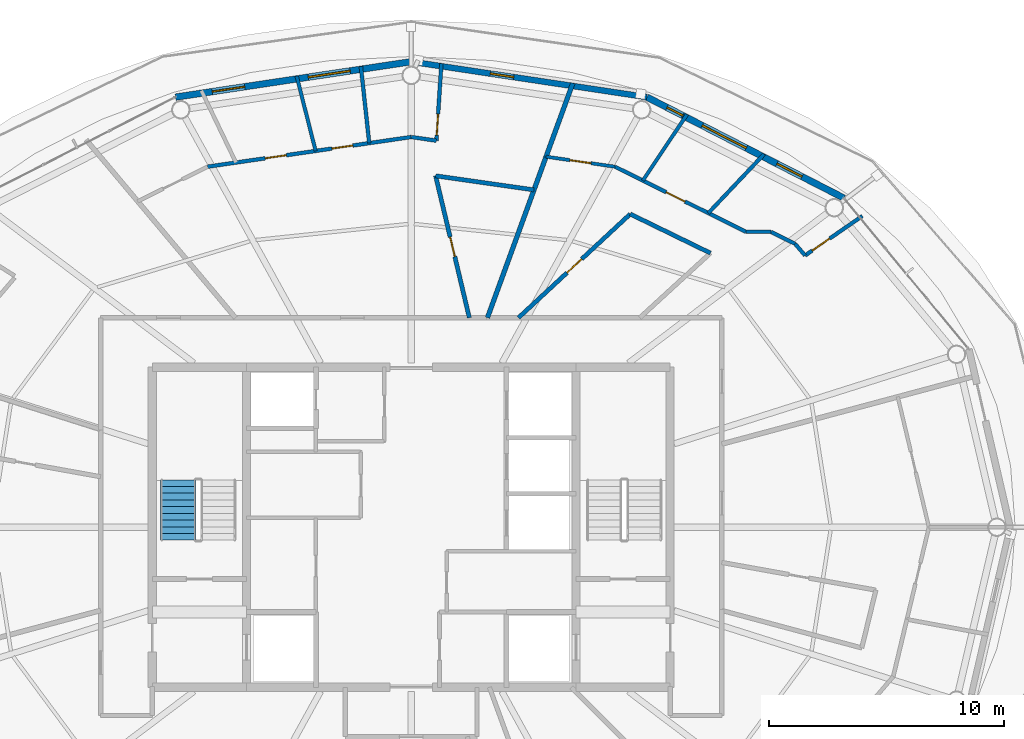
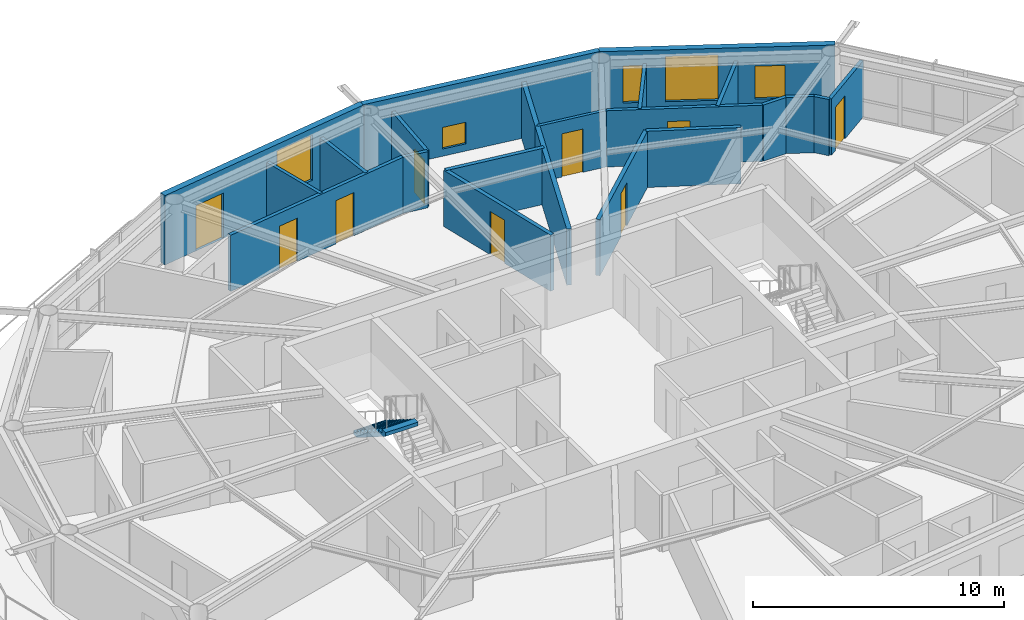
# One storey, part 19 of 23: 22 walls, 9 doors, 5 windows, 1 stair flight, 14 openings, 1 element without a shape of its own.
"""IFC4 building model written with IfcOpenShell, lengths in metres."""

from ifc_helpers import new_model, si_unit, direction, frame, frame_2d, origin, place, context, subcontext, project, spatial, polyline, rectangle, outline, extrude, material, layer, layer_set, type_object, element, fill, aggregate, save


model = new_model("IFC4")

# Units and contexts
model_context = context("Model", 3, precision=1e-05, world=origin(), true_north=direction((0.0, 1.0)))
body_context = subcontext(model_context, "Body", "Model", "MODEL_VIEW")
ifc_project = project(units=[si_unit("LENGTHUNIT", "METRE"), si_unit("AREAUNIT", "SQUARE_METRE"), si_unit("VOLUMEUNIT", "CUBIC_METRE"), si_unit("PLANEANGLEUNIT", "RADIAN"), si_unit("MASSUNIT", "GRAM", prefix="KILO")], contexts=[model_context])

# Site, building, storey
site_placement = place(None, origin())
site = spatial("IfcSite", under=ifc_project, at=site_placement, CompositionType="ELEMENT")
building_placement = place(site_placement, origin())
building = spatial("IfcBuilding", under=site, at=building_placement, Name="Sarneth Arch Tower", CompositionType="ELEMENT")
storey_placement = place(building_placement, frame((0.0, 0.0, 265.800048828125)))
storey = spatial("IfcBuildingStorey", under=building, at=storey_placement, Name="L68", CompositionType="ELEMENT", Elevation=265.800048828125)

# Wall, opening, window
ifc_material_1 = material(Name="Extruded terracotta rainscreen on Concrete C40/50 backing", Category="masonry")
ifc_layer_1 = layer(ifc_material_1, 0.25)
ifc_layer_set_1 = layer_set([ifc_layer_1], Name="Extruded terracotta rainscreen on Concrete C40/50 backing")
wall_type_1 = type_object("IfcWallType", Name="WALL-EXT-SPAND-250", PredefinedType="SOLIDWALL", material=ifc_layer_set_1)
wall_1_placement = place(storey_placement, frame((58.0126953125, 60.2744140625, 0.0), z_axis=(0.0, 0.0, 1.0), x_axis=(-0.988882522213, 0.148698881169, 0.0)))
wall_1 = element("IfcWall", 1, at=wall_1_placement, inside=storey, type_object=wall_type_1, Name="L68 Terracotta perimeter wall 04", PredefinedType="SOLIDWALL", context=body_context, shape_type="SweptSolid", body=[
    extrude(rectangle(XDim=10.125244140625, YDim=0.25, at=frame_2d((5.0625, 0.0))), origin(), (0.0, 0.0, 1.0), 3.369873046875),
])
opening_1_placement = place(wall_1_placement, frame((5.720947265625, 0.0, 0.35009765625)))
opening_1 = element("IfcOpeningElement", 2, at=opening_1_placement, cuts=wall_1, Name="Opening W-14", PredefinedType="OPENING", context=body_context, shape_type="SweptSolid", body=[
    extrude(rectangle(XDim=1.0, YDim=1.050048828125, at=frame_2d((0.5, 0.52490234375))), frame((0.0, 0.135009765625, 0.0), z_axis=(0.0, -1.0, 0.0), x_axis=(1.0, 0.0, 0.0)), (0.0, 0.0, 1.0), 0.27001953125),
])
ifc_material_2 = material(Name="Thermally broken Aluminium 6063-T6 and low-e laminated IGU", Category="aluminium")
window_type_1 = type_object("IfcWindowType", Name="WIN-TWR-1000x1050", PartitioningType="SINGLE_PANEL", PredefinedType="WINDOW", material=ifc_material_2)
window_1_placement = place(opening_1_placement, origin())
window_1 = element("IfcWindow", 3, at=window_1_placement, inside=storey, type_object=window_type_1, Name="L68 Dwelling bedroom window 02", OverallHeight=1.050048828125, OverallWidth=1.0, PartitioningType="SINGLE_PANEL", PredefinedType="WINDOW", context=body_context, shape_type="SweptSolid", body=[
    extrude(rectangle(XDim=1.0, YDim=1.050048828125, at=frame_2d((0.5, 0.52490234375))), frame((0.0, 0.030029296875, 0.0), z_axis=(0.0, -1.0, 0.0), x_axis=(1.0, 0.0, 0.0)), (0.0, 0.0, 1.0), 0.06005859375),
])
fill(opening_1, window_1)

# Wall, openings, windows
ifc_material_3 = material(Name="Extruded terracotta rainscreen on Concrete C40/50 backing", Category="masonry")
ifc_layer_2 = layer(ifc_material_3, 0.280029296875)
ifc_layer_set_2 = layer_set([ifc_layer_2], Name="Extruded terracotta rainscreen on Concrete C40/50 backing")
wall_type_2 = type_object("IfcWallType", Name="WALL-EXT-TERRA-280", PredefinedType="SOLIDWALL", material=ifc_layer_set_2)
wall_2_placement = place(storey_placement, frame((66.382568359375, 55.986572265625, 0.0), z_axis=(0.0, 0.0, 1.0), x_axis=(-0.890007394051, 0.455946091699, 0.0)))
wall_2 = element("IfcWall", 4, at=wall_2_placement, inside=storey, type_object=wall_type_2, Name="L68 Terracotta perimeter wall 03", PredefinedType="SOLIDWALL", context=body_context, shape_type="SweptSolid", body=[
    extrude(rectangle(XDim=9.404296875, YDim=0.280029296875, at=frame_2d((4.7021484375, 0.0))), origin(), (0.0, 0.0, 1.0), 3.369873046875),
])
opening_2_placement = place(wall_2_placement, frame((1.996337890625, 0.0, 0.85009765625)))
opening_2 = element("IfcOpeningElement", 5, at=opening_2_placement, cuts=wall_2, Name="Opening W-10", PredefinedType="OPENING", context=body_context, shape_type="SweptSolid", body=[
    extrude(rectangle(XDim=1.199951171875, YDim=1.60009765625, at=frame_2d((0.60009765625, 0.800048828125))), frame((0.0, 0.14990234375, 0.0), z_axis=(0.0, -1.0, 0.0), x_axis=(1.0, 0.0, 0.0)), (0.0, 0.0, 1.0), 0.300048828125),
])
opening_3_placement = place(wall_2_placement, frame((4.658935546875, 0.0, 0.85009765625)))
opening_3 = element("IfcOpeningElement", 6, at=opening_3_placement, cuts=wall_2, Name="Opening W-03", PredefinedType="OPENING", context=body_context, shape_type="SweptSolid", body=[
    extrude(rectangle(XDim=2.10009765625, YDim=2.199951171875, at=frame_2d((1.050048828125, 1.10009765625))), frame((0.0, 0.14990234375, 0.0), z_axis=(0.0, -1.0, 0.0), x_axis=(1.0, 0.0, 0.0)), (0.0, 0.0, 1.0), 0.300048828125),
])
opening_4_placement = place(wall_2_placement, frame((7.690673828125, 0.0, 0.85009765625)))
opening_4 = element("IfcOpeningElement", 7, at=opening_4_placement, cuts=wall_2, Name="Opening W-13", PredefinedType="OPENING", context=body_context, shape_type="SweptSolid", body=[
    extrude(rectangle(XDim=0.75, YDim=1.800048828125, at=frame_2d((0.375, 0.89990234375))), frame((0.0, 0.14990234375, 0.0), z_axis=(0.0, -1.0, 0.0), x_axis=(1.0, 0.0, 0.0)), (0.0, 0.0, 1.0), 0.300048828125),
])
ifc_material_4 = material(Name="Thermally broken Aluminium 6063-T6 and low-e laminated IGU", Category="aluminium")
window_type_2 = type_object("IfcWindowType", Name="WIN-TWR-1200x1600", PartitioningType="SINGLE_PANEL", PredefinedType="WINDOW", material=ifc_material_4)
window_2_placement = place(opening_2_placement, origin())
window_2 = element("IfcWindow", 8, at=window_2_placement, inside=storey, type_object=window_type_2, Name="L68 Exterior window 03A", OverallHeight=1.60009765625, OverallWidth=1.199951171875, PartitioningType="SINGLE_PANEL", PredefinedType="WINDOW", context=body_context, shape_type="SweptSolid", body=[
    extrude(rectangle(XDim=1.199951171875, YDim=1.60009765625, at=frame_2d((0.60009765625, 0.800048828125))), frame((0.0, 0.030029296875, 0.0), z_axis=(0.0, -1.0, 0.0), x_axis=(1.0, 0.0, 0.0)), (0.0, 0.0, 1.0), 0.06005859375),
])
fill(opening_2, window_2)
ifc_material_5 = material(Name="Thermally broken Aluminium 6063-T6 and low-e laminated IGU", Category="aluminium")
window_type_3 = type_object("IfcWindowType", Name="WIN-TWR-2100x2200", PartitioningType="DOUBLE_PANEL_VERTICAL", PredefinedType="WINDOW", material=ifc_material_5)
window_3_placement = place(opening_3_placement, origin())
window_3 = element("IfcWindow", 9, at=window_3_placement, inside=storey, type_object=window_type_3, Name="L68 Exterior window 03B", OverallHeight=2.199951171875, OverallWidth=2.10009765625, PartitioningType="SINGLE_PANEL", PredefinedType="WINDOW", context=body_context, shape_type="SweptSolid", body=[
    extrude(rectangle(XDim=2.10009765625, YDim=2.199951171875, at=frame_2d((1.050048828125, 1.10009765625))), frame((0.0, 0.030029296875, 0.0), z_axis=(0.0, -1.0, 0.0), x_axis=(1.0, 0.0, 0.0)), (0.0, 0.0, 1.0), 0.06005859375),
])
fill(opening_3, window_3)
ifc_material_6 = material(Name="Thermally broken Aluminium 6063-T6 and low-e laminated IGU", Category="aluminium")
window_type_4 = type_object("IfcWindowType", Name="WIN-TWR-750x1800", PartitioningType="SINGLE_PANEL", PredefinedType="WINDOW", material=ifc_material_6)
window_4_placement = place(opening_4_placement, origin())
window_4 = element("IfcWindow", 10, at=window_4_placement, inside=storey, type_object=window_type_4, Name="L68 Dwelling bedroom window 01", OverallHeight=1.800048828125, OverallWidth=0.75, PartitioningType="SINGLE_PANEL", PredefinedType="WINDOW", context=body_context, shape_type="SweptSolid", body=[
    extrude(rectangle(XDim=0.75, YDim=1.800048828125, at=frame_2d((0.375, 0.89990234375))), frame((0.0, 0.030029296875, 0.0), z_axis=(0.0, -1.0, 0.0), x_axis=(1.0, 0.0, 0.0)), (0.0, 0.0, 1.0), 0.06005859375),
])
fill(opening_4, window_4)

# Wall, openings, door, window
wall_3_placement = place(storey_placement, frame((48.0, 61.780029296875, 0.0), z_axis=(0.0, 0.0, 1.0), x_axis=(-0.988882522213, -0.148698881169, 0.0)))
wall_3 = element("IfcWall", 11, at=wall_3_placement, inside=storey, type_object=wall_type_2, Name="L68 Terracotta perimeter wall 05", PredefinedType="SOLIDWALL", context=body_context, shape_type="SweptSolid", body=[
    extrude(rectangle(XDim=10.125244140625, YDim=0.280029296875, at=frame_2d((5.0625, 0.0))), origin(), (0.0, 0.0, 1.0), 3.369873046875),
])
opening_5_placement = place(wall_3_placement, frame((2.625244140625, 0.0, 0.85009765625)))
opening_5 = element("IfcOpeningElement", 12, at=opening_5_placement, cuts=wall_3, Name="Opening W-04", PredefinedType="OPENING", context=body_context, shape_type="SweptSolid", body=[
    extrude(rectangle(XDim=1.800048828125, YDim=2.199951171875, at=frame_2d((0.89990234375, 1.10009765625))), frame((0.0, 0.14990234375, 0.0), z_axis=(0.0, -1.0, 0.0), x_axis=(1.0, 0.0, 0.0)), (0.0, 0.0, 1.0), 0.300048828125),
])
opening_6_placement = place(wall_3_placement, frame((7.155517578125, 0.0, 0.0)))
opening_6 = element("IfcOpeningElement", 13, at=opening_6_placement, cuts=wall_3, Name="Opening BD-2", PredefinedType="OPENING", context=body_context, shape_type="SweptSolid", body=[
    extrude(rectangle(XDim=1.39990234375, YDim=2.199951171875, at=frame_2d((0.699951171875, 1.10009765625))), frame((0.0, 0.14990234375, 0.0), z_axis=(0.0, -1.0, 0.0), x_axis=(1.0, 0.0, 0.0)), (0.0, 0.0, 1.0), 0.300048828125),
])
ifc_material_7 = material(Name="Thermally broken Aluminium 6063-T6 and laminated safety glass", Category="aluminium")
door_type_1 = type_object("IfcDoorType", Name="DR-BALC-GLZ-1400", OperationType="SINGLE_SWING_LEFT", PredefinedType="DOOR", material=ifc_material_7)
door_1_placement = place(opening_6_placement, origin())
door_1 = element("IfcDoor", 14, at=door_1_placement, inside=storey, type_object=door_type_1, Name="L68 Balcony glazed door 05", OperationType="SINGLE_SWING_LEFT", OverallHeight=2.199951171875, OverallWidth=1.39990234375, PredefinedType="DOOR", context=body_context, shape_type="SweptSolid", body=[
    extrude(rectangle(XDim=1.39990234375, YDim=2.199951171875, at=frame_2d((0.699951171875, 1.10009765625))), frame((0.0, 0.02490234375, 0.0), z_axis=(0.0, -1.0, 0.0), x_axis=(1.0, 0.0, 0.0)), (0.0, 0.0, 1.0), 0.050048828125),
])
fill(opening_6, door_1)
ifc_material_8 = material(Name="Thermally broken Aluminium 6063-T6 and low-e laminated IGU", Category="aluminium")
window_type_5 = type_object("IfcWindowType", Name="WIN-TWR-1800x2200", PartitioningType="DOUBLE_PANEL_VERTICAL", PredefinedType="WINDOW", material=ifc_material_8)
window_5_placement = place(opening_5_placement, origin())
window_5 = element("IfcWindow", 15, at=window_5_placement, inside=storey, type_object=window_type_5, Name="L68 Exterior window 05A", OverallHeight=2.199951171875, OverallWidth=1.800048828125, PartitioningType="SINGLE_PANEL", PredefinedType="WINDOW", context=body_context, shape_type="SweptSolid", body=[
    extrude(rectangle(XDim=1.800048828125, YDim=2.199951171875, at=frame_2d((0.89990234375, 1.10009765625))), frame((0.0, 0.030029296875, 0.0), z_axis=(0.0, -1.0, 0.0), x_axis=(1.0, 0.0, 0.0)), (0.0, 0.0, 1.0), 0.06005859375),
])
fill(opening_5, window_5)

# Wall, opening, door
ifc_material_9 = material(Name="Apartment internal stud partition", Category="gypsum")
ifc_layer_3 = layer(ifc_material_9, 0.139892578125)
ifc_layer_set_3 = layer_set([ifc_layer_3], Name="Apartment internal stud partition")
wall_type_3 = type_object("IfcWallType", Name="WALL-PART-140", PredefinedType="PARTITIONING", material=ifc_layer_set_3)
wall_4_placement = place(storey_placement, frame((53.73046875, 57.744384765625, 0.0), z_axis=(0.0, 0.0, 1.0), x_axis=(0.989530523264, -0.144323745545, 0.0)))
wall_4 = element("IfcWall", 16, at=wall_4_placement, inside=storey, type_object=wall_type_3, Name="L68 Interior partition W-L68-TP-033", PredefinedType="PARTITIONING", context=body_context, shape_type="SweptSolid", body=[
    extrude(rectangle(XDim=2.955322265625, YDim=0.139892578125, at=frame_2d((1.4775390625, 0.0))), origin(), (0.0, 0.0, 1.0), 2.72998046875),
])
opening_7_placement = place(wall_4_placement, frame((1.027587890625, 0.0, 0.0)))
opening_7 = element("IfcOpeningElement", 17, at=opening_7_placement, cuts=wall_4, Name="Opening ID-01", PredefinedType="OPENING", context=body_context, shape_type="SweptSolid", body=[
    extrude(rectangle(XDim=0.89990234375, YDim=2.10009765625, at=frame_2d((0.449951171875, 1.050048828125))), frame((0.0, 0.079833984375, 0.0), z_axis=(0.0, -1.0, 0.0), x_axis=(1.0, 0.0, 0.0)), (0.0, 0.0, 1.0), 0.159912109375),
])
ifc_material_10 = material(Name="Engineered hardwood flush door", Category="wood")
door_type_2 = type_object("IfcDoorType", Name="DR-INT-900", OperationType="SINGLE_SWING_LEFT", PredefinedType="DOOR", material=ifc_material_10)
door_2_placement = place(opening_7_placement, origin())
door_2 = element("IfcDoor", 18, at=door_2_placement, inside=storey, type_object=door_type_2, Name="L68 Interior door DR-L68-U1-BED2", OperationType="SINGLE_SWING_LEFT", OverallHeight=2.10009765625, OverallWidth=0.89990234375, PredefinedType="DOOR", context=body_context, shape_type="SweptSolid", body=[
    extrude(rectangle(XDim=0.89990234375, YDim=2.10009765625, at=frame_2d((0.449951171875, 1.050048828125))), frame((0.0, 0.02490234375, 0.0), z_axis=(0.0, -1.0, 0.0), x_axis=(1.0, 0.0, 0.0)), (0.0, 0.0, 1.0), 0.050048828125),
])
fill(opening_7, door_2)

# Walls
ifc_material_11 = material(Name="Acoustic gypsum stud partition", Category="gypsum")
ifc_layer_4 = layer(ifc_material_11, 0.14990234375)
ifc_layer_set_4 = layer_set([ifc_layer_4], Name="Acoustic gypsum stud partition")
wall_type_4 = type_object("IfcWallType", Name="WALL-PART-150", PredefinedType="PARTITIONING", material=ifc_layer_set_4)
wall_5_placement = place(storey_placement, frame((59.716796875, 59.535400390625, 0.0), z_axis=(0.0, 0.0, 1.0), x_axis=(-0.555567743092, -0.831471276013, 0.0)))
element("IfcWall", 19, at=wall_5_placement, inside=storey, type_object=wall_type_4, Name="L68 Interior partition W-L68-TP-040", PredefinedType="PARTITIONING", context=body_context, shape_type="SweptSolid", body=[
    extrude(rectangle(XDim=3.375732421875, YDim=0.14990234375, at=frame_2d((1.68798828125, 0.0))), origin(), (0.0, 0.0, 1.0), 2.72998046875),
])
wall_6_placement = place(storey_placement, frame((43.131591796875, 61.168701171875, 0.0), z_axis=(0.0, 0.0, 1.0), x_axis=(0.246087289335, -0.969247670117, 0.0)))
element("IfcWall", 20, at=wall_6_placement, inside=storey, type_object=wall_type_4, Name="L68 Interior partition W-L68-TP-053", PredefinedType="PARTITIONING", context=body_context, shape_type="SweptSolid", body=[
    extrude(rectangle(XDim=3.28173828125, YDim=0.14990234375, at=frame_2d((1.640869140625, 0.0))), origin(), (0.0, 0.0, 1.0), 2.72998046875),
])

# Wall, openings, doors
ifc_material_12 = material(Name="Kitchen wet service chase wall", Category="gypsum")
ifc_layer_5 = layer(ifc_material_12, 0.159912109375)
ifc_layer_set_5 = layer_set([ifc_layer_5], Name="Kitchen wet service chase wall")
wall_type_5 = type_object("IfcWallType", Name="WALL-PLUMB-160", PredefinedType="PLUMBINGWALL", material=ifc_layer_set_5)
wall_7_placement = place(storey_placement, frame((39.34521484375, 57.318115234375, 0.0), z_axis=(0.0, 0.0, 1.0), x_axis=(0.989536136377, 0.144285254977, 0.0)))
wall_7 = element("IfcWall", 21, at=wall_7_placement, inside=storey, type_object=wall_type_5, Name="L68 Interior partition W-L68-TP-048", PredefinedType="PLUMBINGWALL", context=body_context, shape_type="SweptSolid", body=[
    extrude(rectangle(XDim=8.746337890625, YDim=0.159912109375, at=frame_2d((4.373046875, 0.0))), origin(), (0.0, 0.0, 1.0), 2.72998046875),
])
opening_8_placement = place(wall_7_placement, frame((2.4814453125, 0.0, 0.0)))
opening_8 = element("IfcOpeningElement", 22, at=opening_8_placement, cuts=wall_7, Name="Opening ID-01", PredefinedType="OPENING", context=body_context, shape_type="SweptSolid", body=[
    extrude(rectangle(XDim=0.89990234375, YDim=2.10009765625, at=frame_2d((0.449951171875, 1.050048828125))), frame((0.0, 0.08984375, 0.0), z_axis=(0.0, -1.0, 0.0), x_axis=(1.0, 0.0, 0.0)), (0.0, 0.0, 1.0), 0.179931640625),
])
opening_9_placement = place(wall_7_placement, frame((5.343505859375, 0.0, 0.0)))
opening_9 = element("IfcOpeningElement", 23, at=opening_9_placement, cuts=wall_7, Name="Opening ID-01", PredefinedType="OPENING", context=body_context, shape_type="SweptSolid", body=[
    extrude(rectangle(XDim=0.89990234375, YDim=2.10009765625, at=frame_2d((0.449951171875, 1.050048828125))), frame((0.0, 0.08984375, 0.0), z_axis=(0.0, -1.0, 0.0), x_axis=(1.0, 0.0, 0.0)), (0.0, 0.0, 1.0), 0.179931640625),
])
door_3_placement = place(opening_8_placement, origin())
door_3 = element("IfcDoor", 24, at=door_3_placement, inside=storey, type_object=door_type_2, Name="L68 Interior door DR-L68-U2-BED2", OperationType="SINGLE_SWING_RIGHT", OverallHeight=2.10009765625, OverallWidth=0.89990234375, PredefinedType="DOOR", context=body_context, shape_type="SweptSolid", body=[
    extrude(rectangle(XDim=0.89990234375, YDim=2.10009765625, at=frame_2d((0.449951171875, 1.050048828125))), frame((0.0, 0.02490234375, 0.0), z_axis=(0.0, -1.0, 0.0), x_axis=(1.0, 0.0, 0.0)), (0.0, 0.0, 1.0), 0.050048828125),
])
fill(opening_8, door_3)
door_4_placement = place(opening_9_placement, origin())
door_4 = element("IfcDoor", 25, at=door_4_placement, inside=storey, type_object=door_type_2, Name="L68 Interior door DR-L68-U2-BED1", OperationType="SINGLE_SWING_LEFT", OverallHeight=2.10009765625, OverallWidth=0.89990234375, PredefinedType="DOOR", context=body_context, shape_type="SweptSolid", body=[
    extrude(rectangle(XDim=0.89990234375, YDim=2.10009765625, at=frame_2d((0.449951171875, 1.050048828125))), frame((0.0, 0.02490234375, 0.0), z_axis=(0.0, -1.0, 0.0), x_axis=(1.0, 0.0, 0.0)), (0.0, 0.0, 1.0), 0.050048828125),
])
fill(opening_9, door_4)

# Wall
wall_8_placement = place(storey_placement, frame((60.623046875, 55.3466796875, 0.0), z_axis=(0.0, 0.0, 1.0), x_axis=(0.687190766796, 0.726477012734, 0.0)))
element("IfcWall", 26, at=wall_8_placement, inside=storey, type_object=wall_type_5, Name="L68 Interior partition W-L68-TP-039", PredefinedType="PLUMBINGWALL", context=body_context, shape_type="SweptSolid", body=[
    extrude(rectangle(XDim=3.448974609375, YDim=0.159912109375, at=frame_2d((1.724609375, 0.0))), origin(), (0.0, 0.0, 1.0), 2.72998046875),
])

# Wall, opening, door
wall_9_placement = place(storey_placement, frame((49.282958984375, 61.7080078125, 0.0), z_axis=(0.0, 0.0, 1.0), x_axis=(-0.064987599341, -0.997886071619, 0.0)))
wall_9 = element("IfcWall", 27, at=wall_9_placement, inside=storey, type_object=wall_type_5, Name="L68 Interior partition W-L68-TP-042", PredefinedType="PLUMBINGWALL", context=body_context, shape_type="SweptSolid", body=[
    extrude(rectangle(XDim=3.290771484375, YDim=0.159912109375, at=frame_2d((1.6455078125, 0.0))), origin(), (0.0, 0.0, 1.0), 2.72998046875),
])
opening_10_placement = place(wall_9_placement, frame((2.155517578125, 0.0, 0.0)))
opening_10 = element("IfcOpeningElement", 28, at=opening_10_placement, cuts=wall_9, Name="Opening ID-01", PredefinedType="OPENING", context=body_context, shape_type="SweptSolid", body=[
    extrude(rectangle(XDim=0.89990234375, YDim=2.10009765625, at=frame_2d((0.449951171875, 1.050048828125))), frame((0.0, 0.08984375, 0.0), z_axis=(0.0, -1.0, 0.0), x_axis=(1.0, 0.0, 0.0)), (0.0, 0.0, 1.0), 0.179931640625),
])
door_5_placement = place(opening_10_placement, origin())
door_5 = element("IfcDoor", 29, at=door_5_placement, inside=storey, type_object=door_type_2, Name="L68 Interior door DR-L68-U2-KIT", OperationType="SINGLE_SWING_RIGHT", OverallHeight=2.10009765625, OverallWidth=0.89990234375, PredefinedType="DOOR", context=body_context, shape_type="SweptSolid", body=[
    extrude(rectangle(XDim=0.89990234375, YDim=2.10009765625, at=frame_2d((0.449951171875, 1.050048828125))), frame((0.0, 0.02490234375, 0.0), z_axis=(0.0, -1.0, 0.0), x_axis=(1.0, 0.0, 0.0)), (0.0, 0.0, 1.0), 0.050048828125),
])
fill(opening_10, door_5)

# Wall
wall_10_placement = place(storey_placement, frame((46.217041015625, 58.320068359375, 0.0), z_axis=(0.0, 0.0, 1.0), x_axis=(-0.108559889868, 0.994089910577, 0.0)))
element("IfcWall", 30, at=wall_10_placement, inside=storey, type_object=wall_type_5, Name="L68 Interior partition W-L68-TP-052", PredefinedType="PLUMBINGWALL", context=body_context, shape_type="SweptSolid", body=[
    extrude(rectangle(XDim=3.27880859375, YDim=0.159912109375, at=frame_2d((1.639404296875, 0.0))), origin(), (0.0, 0.0, 1.0), 2.72998046875),
])

# Wall, opening, door
wall_11_placement = place(storey_placement, frame((56.655029296875, 57.318115234375, 0.0), z_axis=(0.0, 0.0, 1.0), x_axis=(0.89555447129, -0.444951895099, 0.0)))
wall_11 = element("IfcWall", 31, at=wall_11_placement, inside=storey, type_object=wall_type_5, Name="L68 Interior partition W-L68-TP-032", PredefinedType="PLUMBINGWALL", context=body_context, shape_type="SweptSolid", body=[
    extrude(rectangle(XDim=6.2216796875, YDim=0.159912109375, at=frame_2d((3.11083984375, 0.0))), origin(), (0.0, 0.0, 1.0), 2.72998046875),
])
opening_11_placement = place(wall_11_placement, frame((2.428466796875, 0.0, 0.0)))
opening_11 = element("IfcOpeningElement", 32, at=opening_11_placement, cuts=wall_11, Name="Opening ID-01", PredefinedType="OPENING", context=body_context, shape_type="SweptSolid", body=[
    extrude(rectangle(XDim=0.89990234375, YDim=2.10009765625, at=frame_2d((0.449951171875, 1.050048828125))), frame((0.0, 0.08984375, 0.0), z_axis=(0.0, -1.0, 0.0), x_axis=(1.0, 0.0, 0.0)), (0.0, 0.0, 1.0), 0.179931640625),
])
door_6_placement = place(opening_11_placement, origin())
door_6 = element("IfcDoor", 33, at=door_6_placement, inside=storey, type_object=door_type_2, Name="L68 Interior door DR-L68-U1-BED1", OperationType="SINGLE_SWING_RIGHT", OverallHeight=2.10009765625, OverallWidth=0.89990234375, PredefinedType="DOOR", context=body_context, shape_type="SweptSolid", body=[
    extrude(rectangle(XDim=0.89990234375, YDim=2.10009765625, at=frame_2d((0.449951171875, 1.050048828125))), frame((0.0, 0.02490234375, 0.0), z_axis=(0.0, -1.0, 0.0), x_axis=(1.0, 0.0, 0.0)), (0.0, 0.0, 1.0), 0.050048828125),
])
fill(opening_11, door_6)

wall_12_placement = place(storey_placement, frame((67.168701171875, 55.22412109375, 0.0), z_axis=(0.0, 0.0, 1.0), x_axis=(-0.823115625857, -0.567873812101, 0.0)))
wall_12 = element("IfcWall", 34, at=wall_12_placement, inside=storey, type_object=wall_type_5, Name="L68 Interior partition W-L68-TP-024", PredefinedType="PLUMBINGWALL", context=body_context, shape_type="SweptSolid", body=[
    extrude(rectangle(XDim=2.95654296875, YDim=0.159912109375, at=frame_2d((1.478271484375, 0.0))), origin(), (0.0, 0.0, 1.0), 2.72998046875),
])
opening_12_placement = place(wall_12_placement, frame((1.688232421875, 0.0, 0.0)))
opening_12 = element("IfcOpeningElement", 35, at=opening_12_placement, cuts=wall_12, Name="Opening ID-01", PredefinedType="OPENING", context=body_context, shape_type="SweptSolid", body=[
    extrude(rectangle(XDim=0.89990234375, YDim=2.10009765625, at=frame_2d((0.449951171875, 1.050048828125))), frame((0.0, 0.08984375, 0.0), z_axis=(0.0, -1.0, 0.0), x_axis=(1.0, 0.0, 0.0)), (0.0, 0.0, 1.0), 0.179931640625),
])
door_7_placement = place(opening_12_placement, origin())
door_7 = element("IfcDoor", 36, at=door_7_placement, inside=storey, type_object=door_type_2, Name="L68 Interior door DR-L68-U1-KIT", OperationType="SINGLE_SWING_RIGHT", OverallHeight=2.10009765625, OverallWidth=0.89990234375, PredefinedType="DOOR", context=body_context, shape_type="SweptSolid", body=[
    extrude(rectangle(XDim=0.89990234375, YDim=2.10009765625, at=frame_2d((0.449951171875, 1.050048828125))), frame((0.0, 0.02490234375, 0.0), z_axis=(0.0, -1.0, 0.0), x_axis=(1.0, 0.0, 0.0)), (0.0, 0.0, 1.0), 0.050048828125),
])
fill(opening_12, door_7)

# Walls
wall_13_placement = place(storey_placement, frame((64.31103515625, 54.0419921875, 0.0), z_axis=(0.0, 0.0, 1.0), x_axis=(-0.895409226325, 0.445244109912, 0.0)))
element("IfcWall", 37, at=wall_13_placement, inside=storey, type_object=wall_type_5, Name="L68 Interior partition W-L68-TP-026", PredefinedType="PLUMBINGWALL", context=body_context, shape_type="SweptSolid", body=[
    extrude(rectangle(XDim=1.14111328125, YDim=0.159912109375, at=frame_2d((0.570556640625, 0.0))), origin(), (0.0, 0.0, 1.0), 2.72998046875),
])
wall_14_placement = place(storey_placement, frame((49.069091796875, 58.424072265625, 0.0), z_axis=(0.0, 0.0, 1.0), x_axis=(-0.989520204584, 0.144394476074, 0.0)))
element("IfcWall", 38, at=wall_14_placement, inside=storey, type_object=wall_type_5, Name="L68 Interior partition W-L68-TP-043", PredefinedType="PLUMBINGWALL", context=body_context, shape_type="SweptSolid", body=[
    extrude(rectangle(XDim=1.080322265625, YDim=0.159912109375, at=frame_2d((0.5400390625, 0.0))), origin(), (0.0, 0.0, 1.0), 2.72998046875),
])
wall_15_placement = place(storey_placement, frame((63.289306640625, 54.550048828125, 0.0), z_axis=(0.0, 0.0, 1.0), x_axis=(-1.0, 0.0, 0.0)))
element("IfcWall", 39, at=wall_15_placement, inside=storey, type_object=wall_type_5, Name="L68 Interior partition W-L68-TP-027", PredefinedType="PLUMBINGWALL", context=body_context, shape_type="SweptSolid", body=[
    extrude(rectangle(XDim=1.0625, YDim=0.159912109375, at=frame_2d((0.53125, 0.0))), origin(), (0.0, 0.0, 1.0), 2.72998046875),
])
wall_16_placement = place(storey_placement, frame((64.735107421875, 53.545166015625, 0.0), z_axis=(0.0, 0.0, 1.0), x_axis=(-0.649220192727, 0.760600513644, 0.0)))
element("IfcWall", 40, at=wall_16_placement, inside=storey, type_object=wall_type_5, Name="L68 Interior partition W-L68-TP-025", PredefinedType="PLUMBINGWALL", context=body_context, shape_type="SweptSolid", body=[
    extrude(rectangle(XDim=0.6533203125, YDim=0.159912109375, at=frame_2d((0.32666015625, 0.0))), origin(), (0.0, 0.0, 1.0), 2.72998046875),
])

# Wall, opening, door
ifc_material_13 = material(Name="Moisture-resistant plumbing chase wall", Category="gypsum")
ifc_layer_6 = layer(ifc_material_13, 0.179931640625)
ifc_layer_set_6 = layer_set([ifc_layer_6], Name="Moisture-resistant plumbing chase wall")
wall_type_6 = type_object("IfcWallType", Name="WALL-PLUMB-180", PredefinedType="PLUMBINGWALL", material=ifc_layer_set_6)
wall_17_placement = place(storey_placement, frame((52.557861328125, 50.89990234375, 0.0), z_axis=(0.0, 0.0, 1.0), x_axis=(0.732849863846, 0.68039038578, 0.0)))
wall_17 = element("IfcWall", 41, at=wall_17_placement, inside=storey, type_object=wall_type_6, Name="L68 Interior partition W-L68-TP-029", PredefinedType="PLUMBINGWALL", context=body_context, shape_type="SweptSolid", body=[
    extrude(rectangle(XDim=6.478271484375, YDim=0.179931640625, at=frame_2d((3.2392578125, 0.0))), origin(), (0.0, 0.0, 1.0), 2.72998046875),
])
opening_13_placement = place(wall_17_placement, frame((2.81396484375, 0.0, 0.0)))
opening_13 = element("IfcOpeningElement", 42, at=opening_13_placement, cuts=wall_17, Name="Opening ID-02", PredefinedType="OPENING", context=body_context, shape_type="SweptSolid", body=[
    extrude(rectangle(XDim=0.85009765625, YDim=2.10009765625, at=frame_2d((0.425048828125, 1.050048828125))), frame((0.0, 0.099853515625, 0.0), z_axis=(0.0, -1.0, 0.0), x_axis=(1.0, 0.0, 0.0)), (0.0, 0.0, 1.0), 0.199951171875),
])
ifc_material_14 = material(Name="Moisture-resistant bathroom timber door", Category="wood")
door_type_3 = type_object("IfcDoorType", Name="DR-INT-850", OperationType="SINGLE_SWING_RIGHT", PredefinedType="DOOR", material=ifc_material_14)
door_8_placement = place(opening_13_placement, origin())
door_8 = element("IfcDoor", 43, at=door_8_placement, inside=storey, type_object=door_type_3, Name="L68 Interior door DR-L68-U1-BATH", OperationType="SINGLE_SWING_LEFT", OverallHeight=2.10009765625, OverallWidth=0.85009765625, PredefinedType="DOOR", context=body_context, shape_type="SweptSolid", body=[
    extrude(rectangle(XDim=0.85009765625, YDim=2.10009765625, at=frame_2d((0.425048828125, 1.050048828125))), frame((0.0, 0.02490234375, 0.0), z_axis=(0.0, -1.0, 0.0), x_axis=(1.0, 0.0, 0.0)), (0.0, 0.0, 1.0), 0.050048828125),
])
fill(opening_13, door_8)

wall_18_placement = place(storey_placement, frame((50.46923828125, 50.89990234375, 0.0), z_axis=(0.0, 0.0, 1.0), x_axis=(-0.231121823084, 0.972924818727, 0.0)))
wall_18 = element("IfcWall", 44, at=wall_18_placement, inside=storey, type_object=wall_type_6, Name="L68 Interior partition W-L68-TP-045", PredefinedType="PLUMBINGWALL", context=body_context, shape_type="SweptSolid", body=[
    extrude(rectangle(XDim=6.19970703125, YDim=0.179931640625, at=frame_2d((3.099853515625, 0.0))), origin(), (0.0, 0.0, 1.0), 2.72998046875),
])
opening_14_placement = place(wall_18_placement, frame((2.6748046875, 0.0, 0.0)))
opening_14 = element("IfcOpeningElement", 45, at=opening_14_placement, cuts=wall_18, Name="Opening ID-02", PredefinedType="OPENING", context=body_context, shape_type="SweptSolid", body=[
    extrude(rectangle(XDim=0.85009765625, YDim=2.10009765625, at=frame_2d((0.425048828125, 1.050048828125))), frame((0.0, 0.099853515625, 0.0), z_axis=(0.0, -1.0, 0.0), x_axis=(1.0, 0.0, 0.0)), (0.0, 0.0, 1.0), 0.199951171875),
])
door_9_placement = place(opening_14_placement, origin())
door_9 = element("IfcDoor", 46, at=door_9_placement, inside=storey, type_object=door_type_3, Name="L68 Interior door DR-L68-U2-BATH", OperationType="SINGLE_SWING_LEFT", OverallHeight=2.10009765625, OverallWidth=0.85009765625, PredefinedType="DOOR", context=body_context, shape_type="SweptSolid", body=[
    extrude(rectangle(XDim=0.85009765625, YDim=2.10009765625, at=frame_2d((0.425048828125, 1.050048828125))), frame((0.0, 0.02490234375, 0.0), z_axis=(0.0, -1.0, 0.0), x_axis=(1.0, 0.0, 0.0)), (0.0, 0.0, 1.0), 0.050048828125),
])
fill(opening_14, door_9)

# Walls
wall_19_placement = place(storey_placement, frame((49.036376953125, 56.931640625, 0.0), z_axis=(0.0, 0.0, 1.0), x_axis=(0.989927514161, -0.141575127434, 0.0)))
element("IfcWall", 47, at=wall_19_placement, inside=storey, type_object=wall_type_6, Name="L68 Interior partition W-L68-TP-046", PredefinedType="PLUMBINGWALL", context=body_context, shape_type="SweptSolid", body=[
    extrude(rectangle(XDim=4.22314453125, YDim=0.179931640625, at=frame_2d((2.111572265625, 0.0))), origin(), (0.0, 0.0, 1.0), 2.72998046875),
])
wall_20_placement = place(storey_placement, frame((57.305419921875, 55.3076171875, 0.0), z_axis=(0.0, 0.0, 1.0), x_axis=(0.898917645735, -0.438117639667, 0.0)))
element("IfcWall", 48, at=wall_20_placement, inside=storey, type_object=wall_type_6, Name="L68 Interior partition W-L68-TP-030", PredefinedType="PLUMBINGWALL", context=body_context, shape_type="SweptSolid", body=[
    extrude(rectangle(XDim=3.788818359375, YDim=0.179931640625, at=frame_2d((1.89453125, 0.0))), origin(), (0.0, 0.0, 1.0), 2.72998046875),
])
ifc_material_15 = material(Name="Double steel-stud acoustic drywall", Category="steel")
ifc_layer_7 = layer(ifc_material_15, 0.199951171875)
ifc_layer_set_7 = layer_set([ifc_layer_7], Name="Double steel-stud acoustic drywall")
wall_type_7 = type_object("IfcWallType", Name="WALL-UNIT-200", PredefinedType="PARTITIONING", material=ifc_layer_set_7)
wall_21_placement = place(storey_placement, frame((51.2392578125, 50.89990234375, 0.0), z_axis=(0.0, 0.0, 1.0), x_axis=(0.342027045015, 0.939690108748, 0.0)))
element("IfcWall", 49, at=wall_21_placement, inside=storey, type_object=wall_type_7, Name="L68 Interior partition W-L68-TP-036", PredefinedType="PARTITIONING", context=body_context, shape_type="SweptSolid", body=[
    extrude(rectangle(XDim=7.31640625, YDim=0.199951171875, at=frame_2d((3.658203125, 0.0))), origin(), (0.0, 0.0, 1.0), 2.72998046875),
])
wall_22_placement = place(storey_placement, frame((54.86669921875, 60.866455078125, 0.0), z_axis=(0.0, 0.0, 1.0), x_axis=(-0.342000121366, -0.939699907942, 0.0)))
element("IfcWall", 50, at=wall_22_placement, inside=storey, type_object=wall_type_7, Name="L68 Interior partition W-L68-TP-041", PredefinedType="PARTITIONING", context=body_context, shape_type="SweptSolid", body=[
    extrude(rectangle(XDim=3.355224609375, YDim=0.199951171875, at=frame_2d((1.677734375, 0.0))), origin(), (0.0, 0.0, 1.0), 2.72998046875),
])

# Stair, stair flight
ifc_material_16 = material(Name="Concrete C50/60", Category="concrete")
stair_type = type_object("IfcStairType", Name="STAIR-CORE-RC", PredefinedType="HALF_TURN_STAIR", material=ifc_material_16)
stair_placement = place(storey_placement, origin())
stair = element("IfcStair", 51, at=stair_placement, inside=storey, type_object=stair_type, Name="L68 Core Exit Stair 1", PredefinedType="HALF_TURN_STAIR")
ifc_material_17 = material(Name="Concrete C50/60", Category="concrete")
stair_flight_type = type_object("IfcStairFlightType", Name="FLIGHT-RC-1500", PredefinedType="STRAIGHT", material=ifc_material_17)
stair_flight_placement = place(storey_placement, frame((38.10009765625, 44.014892578125, 1.800048828125), z_axis=(0.0, 0.0, 1.0), x_axis=(0.0, -1.0, 0.0)))
stair_flight = element("IfcStairFlight", 52, at=stair_flight_placement, type_object=stair_flight_type, Name="ST-1 flight 2", NumberOfRisers=10, NumberOfTreads=9, PredefinedType="STRAIGHT", RiserHeight=0.18, TreadLength=0.285, context=body_context, shape_type="SweptSolid", body=[
    extrude(outline(polyline([(0.0, 0.0), (0.0, 0.179931640625), (0.284912109375, 0.179931640625), (0.284912109375, 0.360107421875), (0.570068359375, 0.360107421875), (0.570068359375, 0.5400390625), (0.85498046875, 0.5400390625), (0.85498046875, 0.719970703125), (1.139892578125, 0.719970703125), (1.139892578125, 0.89990234375), (1.425048828125, 0.89990234375), (1.425048828125, 1.080078125), (1.7099609375, 1.080078125), (1.7099609375, 1.260009765625), (1.9951171875, 1.260009765625), (1.9951171875, 1.43994140625), (2.280029296875, 1.43994140625), (2.280029296875, 1.6201171875), (2.56494140625, 1.6201171875), (2.56494140625, 1.800048828125), (2.56494140625, 1.442626953125), (0.28076171875, 0.0), (0.0, 0.0)])), frame((0.0, 0.75, 0.0), z_axis=(0.0, -1.0, 0.0), x_axis=(1.0, 0.0, 0.0)), (0.0, 0.0, 1.0), 1.5),
])
aggregate(stair, [stair_flight])

save(model, "model.ifc")
